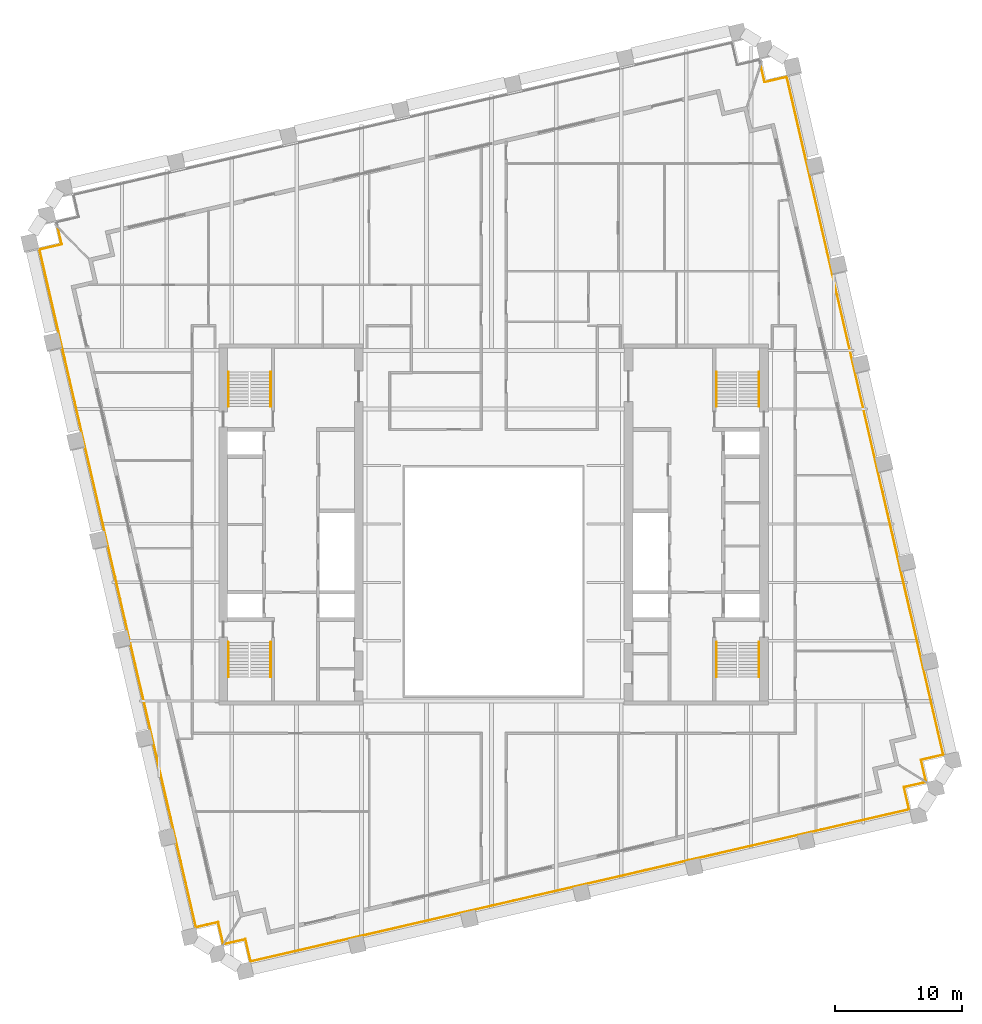
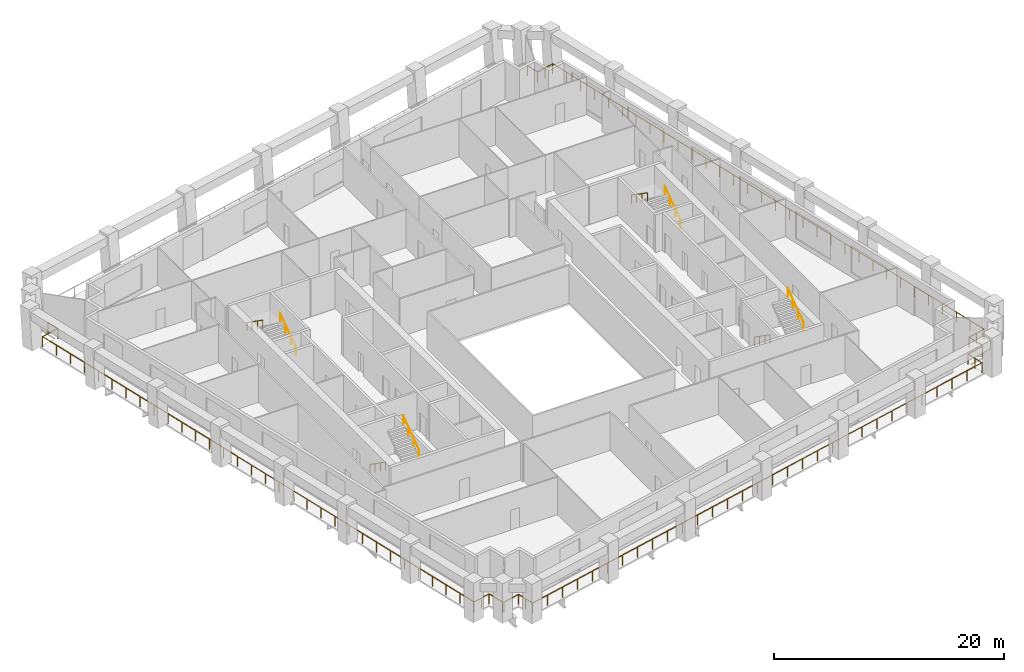
# One storey, part 10 of 11: 11 railings.
"""IFC4 building model written with IfcOpenShell, lengths in metres."""

import ifcopenshell
import ifcopenshell.guid

model = None  # the IFC model being written
_history = None  # IfcOwnerHistory: only IFC2X3 demands one
_inside = {}  # id of a spatial element -> (the spatial element, [elements in it])
_under = {}  # id of a project, library or spatial element -> (it, [spatial elements below it])
_declared = {}  # id of a project -> (the project, [libraries it declares])
_typed = {}  # id of a type object -> (the type object, [elements of that type])
_made_of = {}  # id of a material, layer set ... -> (it, [elements and type objects made of it])


def new_model(schema):
    """Start an empty IFC model of exactly this schema.

    Asked for "IFC4X3", IfcOpenShell would pick the latest addendum, in which some entities
    have other attributes; the version numbers below select the first issue.
    IFC2X3 requires an IfcOwnerHistory on every rooted entity: one is made here for all.
    """
    global model, _history
    if schema == "IFC4X3":
        model = ifcopenshell.file(schema_version=(4, 3, 0, 0))
    else:
        model = ifcopenshell.file(schema=schema)
    _inside.clear()
    _under.clear()
    _declared.clear()
    _typed.clear()
    _made_of.clear()
    _history = None
    if model.schema == "IFC2X3":
        org = make("IfcOrganization", Name="unknown")
        user = make(
            "IfcPersonAndOrganization",
            ThePerson=make("IfcPerson", FamilyName="unknown"),
            TheOrganization=org,
        )
        app = make(
            "IfcApplication",
            ApplicationDeveloper=org,
            Version="unknown",
            ApplicationFullName="unknown",
            ApplicationIdentifier="unknown",
        )
        _history = make(
            "IfcOwnerHistory",
            OwningUser=user,
            OwningApplication=app,
            ChangeAction="ADDED",
            CreationDate=0,
        )
    return model


def make(cls, **values):
    """One entity of the class cls with the attributes given. An attribute that is None is left unset."""
    return model.create_entity(
        cls, **{name: value for name, value in values.items() if value is not None}
    )


def rooted(cls, **values):
    """An entity with a GlobalId (a new one), such as an element, a storey or a relation."""
    return make(cls, GlobalId=ifcopenshell.guid.new(), OwnerHistory=_history, **values)


def si_unit(unit_type, name, prefix=None):
    """IfcSIUnit, for example si_unit("LENGTHUNIT", "METRE", prefix="MILLI")."""
    return make("IfcSIUnit", UnitType=unit_type, Prefix=prefix, Name=name)


def assignment(units):
    """IfcUnitAssignment: the units of a project."""
    return None if units is None else make("IfcUnitAssignment", Units=units)


def point(xyz):
    """IfcCartesianPoint."""
    return None if xyz is None else make("IfcCartesianPoint", Coordinates=xyz)


def direction(xyz):
    """IfcDirection."""
    return None if xyz is None else make("IfcDirection", DirectionRatios=xyz)


def frame(location, z_axis=None, x_axis=None):
    """IfcAxis2Placement3D, a coordinate frame: its origin and axes. An axis left out is left unset."""
    return make(
        "IfcAxis2Placement3D",
        Location=point(location),
        Axis=direction(z_axis),
        RefDirection=direction(x_axis),
    )


def frame_2d(location, x_axis=None):
    """IfcAxis2Placement2D, a coordinate frame in the plane: its origin and x axis."""
    return make(
        "IfcAxis2Placement2D", Location=point(location), RefDirection=direction(x_axis)
    )


def origin():
    """The frame at (0, 0, 0) with its axes left unset."""
    return frame((0.0, 0.0, 0.0))


def origin_2d():
    """The frame at (0, 0) in the plane with its x axis left unset."""
    return frame_2d((0.0, 0.0))


def place(relative_to, where):
    """IfcLocalPlacement: puts the frame where relative to a parent placement (None: the world)."""
    return make(
        "IfcLocalPlacement", PlacementRelTo=relative_to, RelativePlacement=where
    )


def context(
    kind, dimensions, precision=None, world=None, true_north=None, identifier=None
):
    """IfcGeometricRepresentationContext, for example the 3D "Model" context."""
    return make(
        "IfcGeometricRepresentationContext",
        ContextIdentifier=identifier,
        ContextType=kind,
        CoordinateSpaceDimension=dimensions,
        Precision=precision,
        WorldCoordinateSystem=world,
        TrueNorth=true_north,
    )


def subcontext(parent, identifier, kind, view, scale=None):
    """IfcGeometricRepresentationSubContext, for example "Body" below "Model"."""
    return make(
        "IfcGeometricRepresentationSubContext",
        ContextIdentifier=identifier,
        ContextType=kind,
        ParentContext=parent,
        TargetScale=scale,
        TargetView=view,
    )


def project(units=None, contexts=None):
    """IfcProject with its units and contexts."""
    return rooted(
        "IfcProject",
        Name="project",
        RepresentationContexts=contexts,
        UnitsInContext=assignment(units),
    )


def spatial(cls, under=None, at=None, **own):
    """A site, building, storey or space (cls), placed at a placement, below another one or the project."""
    s = rooted(cls, ObjectPlacement=at, **own)
    if under is not None:
        _under.setdefault(under.id(), (under, []))[1].append(s)
    return s


def profile(cls, at=None, kind="AREA", **sizes):
    """A parametric profile (cls). Its sizes go by their IFC names, for example OverallWidth=200.0."""
    return make(cls, ProfileType=kind, Position=at, **sizes)


def circle(**sizes):
    """IfcCircleProfileDef."""
    return profile("IfcCircleProfileDef", **sizes)


def extrude(swept, where, along, depth):
    """IfcExtrudedAreaSolid: the profile swept, set in the frame where, extruded along a direction by depth."""
    return make(
        "IfcExtrudedAreaSolid",
        SweptArea=swept,
        Position=where,
        ExtrudedDirection=direction(along),
        Depth=depth,
    )


def shape(context_of_items, identifier, shape_type, items):
    """IfcShapeRepresentation: the items that make up one representation, for example the "Body"."""
    return make(
        "IfcShapeRepresentation",
        ContextOfItems=context_of_items,
        RepresentationIdentifier=identifier,
        RepresentationType=shape_type,
        Items=items,
    )


def material(Name=None, Category=None):
    """IfcMaterial."""
    return make("IfcMaterial", Name=Name, Category=Category)


def made_of(thing, what):
    """Note that an element or type object is made of a material, layer set ...; save() writes the relation."""
    if what is not None:
        _made_of.setdefault(what.id(), (what, []))[1].append(thing)
    return thing


def type_object(cls, material=None, **own):
    """A type object (cls), such as IfcWallType, which elements share."""
    return made_of(rooted(cls, **own), material)


def element(
    cls,
    number,
    at=None,
    inside=None,
    cuts=None,
    type_object=None,
    material=None,
    context=None,
    identifier="Body",
    shape_type=None,
    held_by="IfcProductDefinitionShape",
    body=None,
    shapes=None,
    **own,
):
    """One element of the class cls, such as IfcWall. Its Tag is "e" and its number.

    at: its placement. inside: the storey or other place that contains it. cuts: it is an
    opening in that element (IfcRelVoidsElement). A single representation is given by context,
    identifier, shape_type and body (its items); several are given by shapes. held_by: the class
    of the entity that holds the representations. save() writes the other relations.
    """
    e = rooted(cls, Tag="e%d" % number, ObjectPlacement=at, **own)
    if body is not None:
        shapes = [shape(context, identifier, shape_type, body)]
    if shapes is not None:
        e.Representation = make(held_by, Representations=shapes)
    if inside is not None:
        _inside.setdefault(inside.id(), (inside, []))[1].append(e)
    if cuts is not None:
        rooted(
            "IfcRelVoidsElement", RelatingBuildingElement=cuts, RelatedOpeningElement=e
        )
    if type_object is not None:
        _typed.setdefault(type_object.id(), (type_object, []))[1].append(e)
    return made_of(e, material)


def aggregate(whole, parts):
    """IfcRelAggregates: a whole, such as a stair, and the parts it consists of."""
    return rooted("IfcRelAggregates", RelatingObject=whole, RelatedObjects=parts)


def save(model, path):
    """Write the relations noted so far, then the file.

    IfcRelAggregates (storeys below a building ...), IfcRelContainedInSpatialStructure (elements
    in a storey), IfcRelDefinesByType, IfcRelAssociatesMaterial and IfcRelDeclares: one each for
    every whole, place, type object, material and project.
    """
    for whole, parts in _under.values():
        aggregate(whole, parts)
    for where, things in _inside.values():
        rooted(
            "IfcRelContainedInSpatialStructure",
            RelatedElements=things,
            RelatingStructure=where,
        )
    for kind, things in _typed.values():
        rooted("IfcRelDefinesByType", RelatedObjects=things, RelatingType=kind)
    for what, things in _made_of.values():
        rooted("IfcRelAssociatesMaterial", RelatedObjects=things, RelatingMaterial=what)
    for by, libraries in _declared.values():
        rooted("IfcRelDeclares", RelatingContext=by, RelatedDefinitions=libraries)
    model.write(path)


model = new_model("IFC4")

# Units and contexts
model_context = context("Model", 3, precision=1e-05, world=origin(), true_north=direction((0.0, 1.0)))
body_context = subcontext(model_context, "Body", "Model", "MODEL_VIEW")
ifc_project = project(units=[si_unit("LENGTHUNIT", "METRE"), si_unit("AREAUNIT", "SQUARE_METRE"), si_unit("VOLUMEUNIT", "CUBIC_METRE"), si_unit("PLANEANGLEUNIT", "RADIAN"), si_unit("MASSUNIT", "GRAM", prefix="KILO")], contexts=[model_context])

# Site, building, storey
site_placement = place(None, origin())
site = spatial("IfcSite", under=ifc_project, at=site_placement, CompositionType="ELEMENT")
building_placement = place(site_placement, origin())
building = spatial("IfcBuilding", under=site, at=building_placement, Name="Ogive Exchange Tower", CompositionType="ELEMENT")
storey_placement = place(building_placement, frame((0.0, 0.0, 184.199951171875)))
storey = spatial("IfcBuildingStorey", under=building, at=storey_placement, Name="L40", CompositionType="ELEMENT", Elevation=184.199951171875)

# Railings
ifc_material_1 = material(Name="Stainless steel 316", Category="steel")
railing_type_1 = type_object("IfcRailingType", Name="Guard 1100 stainless steel and glass", PredefinedType="GUARDRAIL", material=ifc_material_1)
railing_1_placement = place(storey_placement, frame((34.067138671875, -8.864013671875, -0.050048828125)))
element("IfcRailing", 1, at=railing_1_placement, inside=storey, type_object=railing_type_1, Name="Loggia guard 1", PredefinedType="GUARDRAIL", context=body_context, shape_type="SweptSolid", body=[
    extrude(circle(Radius=0.02392578125, at=origin_2d()), frame((0.0, 0.0, 1.076171875), z_axis=(-0.974364690374, -0.224974332206, 0.0), x_axis=(0.224974332206, -0.974364690374, 0.0)), (0.0, 0.0, 1.0), 1.7080078125),
    extrude(circle(Radius=0.02392578125, at=origin_2d()), frame((-1.664306640625, -0.38427734375, 1.076171875), z_axis=(0.224879318197, -0.974386623598, 0.0), x_axis=(0.974386623598, 0.224879318197, 0.0)), (0.0, 0.0, 1.0), 1.800048828125),
    extrude(circle(Radius=0.02392578125, at=origin_2d()), frame((-1.259521484375, -2.13818359375, 1.076171875), z_axis=(-0.97436998541, -0.224951398156, 0.0), x_axis=(0.224951398156, -0.97436998541, 0.0)), (0.0, 0.0, 1.0), 53.360107421875),
    extrude(circle(Radius=0.02392578125, at=origin_2d()), frame((-53.251953125, -14.1416015625, 1.076171875), z_axis=(-0.224879318197, 0.974386623598, 0.0), x_axis=(-0.974386623598, -0.224879318197, 0.0)), (0.0, 0.0, 1.0), 1.800048828125),
    extrude(circle(Radius=0.02392578125, at=origin_2d()), frame((-53.65673828125, -12.3876953125, 1.076171875), z_axis=(-0.974364690374, -0.224974332206, 0.0), x_axis=(0.224974332206, -0.974364690374, 0.0)), (0.0, 0.0, 1.0), 1.7080078125),
    extrude(circle(Radius=0.02099609375, at=origin_2d()), origin(), (0.0, 0.0, 1.0), 1.052001953125),
    extrude(circle(Radius=0.02099609375, at=origin_2d()), frame((-1.664306640625, -0.38427734375, 0.0)), (0.0, 0.0, 1.0), 1.052001953125),
    extrude(circle(Radius=0.02099609375, at=origin_2d()), frame((-1.4619140625, -1.26123046875, 0.0)), (0.0, 0.0, 1.0), 1.052001953125),
    extrude(circle(Radius=0.02099609375, at=origin_2d()), frame((-1.259521484375, -2.13818359375, 0.0)), (0.0, 0.0, 1.0), 1.052001953125),
    extrude(circle(Radius=0.02099609375, at=origin_2d()), frame((-2.99267578125, -2.538330078125, 0.0)), (0.0, 0.0, 1.0), 1.052001953125),
    extrude(circle(Radius=0.02099609375, at=origin_2d()), frame((-4.7255859375, -2.9384765625, 0.0)), (0.0, 0.0, 1.0), 1.052001953125),
    extrude(circle(Radius=0.02099609375, at=origin_2d()), frame((-6.458740234375, -3.338623046875, 0.0)), (0.0, 0.0, 1.0), 1.052001953125),
    extrude(circle(Radius=0.02099609375, at=origin_2d()), frame((-8.19189453125, -3.738525390625, 0.0)), (0.0, 0.0, 1.0), 1.052001953125),
    extrude(circle(Radius=0.02099609375, at=origin_2d()), frame((-9.9248046875, -4.138671875, 0.0)), (0.0, 0.0, 1.0), 1.052001953125),
    extrude(circle(Radius=0.02099609375, at=origin_2d()), frame((-11.657958984375, -4.538818359375, 0.0)), (0.0, 0.0, 1.0), 1.052001953125),
    extrude(circle(Radius=0.02099609375, at=origin_2d()), frame((-13.39111328125, -4.93896484375, 0.0)), (0.0, 0.0, 1.0), 1.052001953125),
    extrude(circle(Radius=0.02099609375, at=origin_2d()), frame((-15.124267578125, -5.339111328125, 0.0)), (0.0, 0.0, 1.0), 1.052001953125),
    extrude(circle(Radius=0.02099609375, at=origin_2d()), frame((-16.857177734375, -5.7392578125, 0.0)), (0.0, 0.0, 1.0), 1.052001953125),
    extrude(circle(Radius=0.02099609375, at=origin_2d()), frame((-18.59033203125, -6.139404296875, 0.0)), (0.0, 0.0, 1.0), 1.052001953125),
    extrude(circle(Radius=0.02099609375, at=origin_2d()), frame((-20.323486328125, -6.53955078125, 0.0)), (0.0, 0.0, 1.0), 1.052001953125),
    extrude(circle(Radius=0.02099609375, at=origin_2d()), frame((-22.056396484375, -6.939453125, 0.0)), (0.0, 0.0, 1.0), 1.052001953125),
    extrude(circle(Radius=0.02099609375, at=origin_2d()), frame((-23.78955078125, -7.339599609375, 0.0)), (0.0, 0.0, 1.0), 1.052001953125),
    extrude(circle(Radius=0.02099609375, at=origin_2d()), frame((-25.522705078125, -7.73974609375, 0.0)), (0.0, 0.0, 1.0), 1.052001953125),
    extrude(circle(Radius=0.02099609375, at=origin_2d()), frame((-27.255859375, -8.139892578125, 0.0)), (0.0, 0.0, 1.0), 1.052001953125),
    extrude(circle(Radius=0.02099609375, at=origin_2d()), frame((-28.98876953125, -8.5400390625, 0.0)), (0.0, 0.0, 1.0), 1.052001953125),
    extrude(circle(Radius=0.02099609375, at=origin_2d()), frame((-30.721923828125, -8.940185546875, 0.0)), (0.0, 0.0, 1.0), 1.052001953125),
    extrude(circle(Radius=0.02099609375, at=origin_2d()), frame((-32.455078125, -9.34033203125, 0.0)), (0.0, 0.0, 1.0), 1.052001953125),
    extrude(circle(Radius=0.02099609375, at=origin_2d()), frame((-34.18798828125, -9.740234375, 0.0)), (0.0, 0.0, 1.0), 1.052001953125),
    extrude(circle(Radius=0.02099609375, at=origin_2d()), frame((-35.921142578125, -10.140380859375, 0.0)), (0.0, 0.0, 1.0), 1.052001953125),
    extrude(circle(Radius=0.02099609375, at=origin_2d()), frame((-37.654296875, -10.54052734375, 0.0)), (0.0, 0.0, 1.0), 1.052001953125),
    extrude(circle(Radius=0.02099609375, at=origin_2d()), frame((-39.38720703125, -10.940673828125, 0.0)), (0.0, 0.0, 1.0), 1.052001953125),
    extrude(circle(Radius=0.02099609375, at=origin_2d()), frame((-41.120361328125, -11.3408203125, 0.0)), (0.0, 0.0, 1.0), 1.052001953125),
    extrude(circle(Radius=0.02099609375, at=origin_2d()), frame((-42.853515625, -11.740966796875, 0.0)), (0.0, 0.0, 1.0), 1.052001953125),
    extrude(circle(Radius=0.02099609375, at=origin_2d()), frame((-44.58642578125, -12.14111328125, 0.0)), (0.0, 0.0, 1.0), 1.052001953125),
    extrude(circle(Radius=0.02099609375, at=origin_2d()), frame((-46.319580078125, -12.541259765625, 0.0)), (0.0, 0.0, 1.0), 1.052001953125),
    extrude(circle(Radius=0.02099609375, at=origin_2d()), frame((-48.052734375, -12.941162109375, 0.0)), (0.0, 0.0, 1.0), 1.052001953125),
    extrude(circle(Radius=0.02099609375, at=origin_2d()), frame((-49.785888671875, -13.34130859375, 0.0)), (0.0, 0.0, 1.0), 1.052001953125),
    extrude(circle(Radius=0.02099609375, at=origin_2d()), frame((-51.518798828125, -13.741455078125, 0.0)), (0.0, 0.0, 1.0), 1.052001953125),
    extrude(circle(Radius=0.02099609375, at=origin_2d()), frame((-53.251953125, -14.1416015625, 0.0)), (0.0, 0.0, 1.0), 1.052001953125),
    extrude(circle(Radius=0.02099609375, at=origin_2d()), frame((-53.454345703125, -13.2646484375, 0.0)), (0.0, 0.0, 1.0), 1.052001953125),
    extrude(circle(Radius=0.02099609375, at=origin_2d()), frame((-53.65673828125, -12.3876953125, 0.0)), (0.0, 0.0, 1.0), 1.052001953125),
    extrude(circle(Radius=0.02099609375, at=origin_2d()), frame((-55.321044921875, -12.77197265625, 0.0)), (0.0, 0.0, 1.0), 1.052001953125),
])
railing_2_placement = place(storey_placement, frame((-21.364013671875, -21.567138671875, -0.050048828125)))
element("IfcRailing", 2, at=railing_2_placement, inside=storey, type_object=railing_type_1, Name="Loggia guard 2", PredefinedType="GUARDRAIL", context=body_context, shape_type="SweptSolid", body=[
    extrude(circle(Radius=0.02392578125, at=origin_2d()), frame((0.0, 0.0, 1.076171875), z_axis=(-0.224974332206, 0.974364690374, 0.0), x_axis=(-0.974364690374, -0.224974332206, 0.0)), (0.0, 0.0, 1.0), 1.7080078125),
    extrude(circle(Radius=0.02392578125, at=origin_2d()), frame((-0.38427734375, 1.664306640625, 1.076171875), z_axis=(-0.974386623598, -0.224879318197, 0.0), x_axis=(0.224879318197, -0.974386623598, 0.0)), (0.0, 0.0, 1.0), 1.800048828125),
    extrude(circle(Radius=0.02392578125, at=origin_2d()), frame((-2.13818359375, 1.259521484375, 1.076171875), z_axis=(-0.224951705278, 0.974369914505, 0.0), x_axis=(-0.974369914505, -0.224951705278, 0.0)), (0.0, 0.0, 1.0), 54.9228515625),
    extrude(circle(Radius=0.02392578125, at=origin_2d()), frame((-14.4931640625, 54.774658203125, 1.076171875), z_axis=(0.974350028141, 0.22503782496, 0.0), x_axis=(-0.22503782496, 0.974350028141, 0.0)), (0.0, 0.0, 1.0), 1.7998046875),
    extrude(circle(Radius=0.02392578125, at=origin_2d()), frame((-12.739501953125, 55.1796875, 1.076171875), z_axis=(-0.224817405851, 0.974400910317, 0.0), x_axis=(-0.974400910317, -0.224817405851, 0.0)), (0.0, 0.0, 1.0), 1.2705078125),
    extrude(circle(Radius=0.02099609375, at=origin_2d()), origin(), (0.0, 0.0, 1.0), 1.052001953125),
    extrude(circle(Radius=0.02099609375, at=origin_2d()), frame((-0.38427734375, 1.664306640625, 0.0)), (0.0, 0.0, 1.0), 1.052001953125),
    extrude(circle(Radius=0.02099609375, at=origin_2d()), frame((-1.26123046875, 1.4619140625, 0.0)), (0.0, 0.0, 1.0), 1.052001953125),
    extrude(circle(Radius=0.02099609375, at=origin_2d()), frame((-2.13818359375, 1.259521484375, 0.0)), (0.0, 0.0, 1.0), 1.052001953125),
    extrude(circle(Radius=0.02099609375, at=origin_2d()), frame((-2.53662109375, 2.98583984375, 0.0)), (0.0, 0.0, 1.0), 1.052001953125),
    extrude(circle(Radius=0.02099609375, at=origin_2d()), frame((-2.935302734375, 4.712158203125, 0.0)), (0.0, 0.0, 1.0), 1.052001953125),
    extrude(circle(Radius=0.02099609375, at=origin_2d()), frame((-3.333740234375, 6.4384765625, 0.0)), (0.0, 0.0, 1.0), 1.052001953125),
    extrude(circle(Radius=0.02099609375, at=origin_2d()), frame((-3.732421875, 8.164794921875, 0.0)), (0.0, 0.0, 1.0), 1.052001953125),
    extrude(circle(Radius=0.02099609375, at=origin_2d()), frame((-4.130859375, 9.89111328125, 0.0)), (0.0, 0.0, 1.0), 1.052001953125),
    extrude(circle(Radius=0.02099609375, at=origin_2d()), frame((-4.529541015625, 11.6171875, 0.0)), (0.0, 0.0, 1.0), 1.052001953125),
    extrude(circle(Radius=0.02099609375, at=origin_2d()), frame((-4.927978515625, 13.343505859375, 0.0)), (0.0, 0.0, 1.0), 1.052001953125),
    extrude(circle(Radius=0.02099609375, at=origin_2d()), frame((-5.32666015625, 15.06982421875, 0.0)), (0.0, 0.0, 1.0), 1.052001953125),
    extrude(circle(Radius=0.02099609375, at=origin_2d()), frame((-5.72509765625, 16.796142578125, 0.0)), (0.0, 0.0, 1.0), 1.052001953125),
    extrude(circle(Radius=0.02099609375, at=origin_2d()), frame((-6.123779296875, 18.5224609375, 0.0)), (0.0, 0.0, 1.0), 1.052001953125),
    extrude(circle(Radius=0.02099609375, at=origin_2d()), frame((-6.522216796875, 20.248779296875, 0.0)), (0.0, 0.0, 1.0), 1.052001953125),
    extrude(circle(Radius=0.02099609375, at=origin_2d()), frame((-6.920654296875, 21.97509765625, 0.0)), (0.0, 0.0, 1.0), 1.052001953125),
    extrude(circle(Radius=0.02099609375, at=origin_2d()), frame((-7.3193359375, 23.701416015625, 0.0)), (0.0, 0.0, 1.0), 1.052001953125),
    extrude(circle(Radius=0.02099609375, at=origin_2d()), frame((-7.7177734375, 25.427734375, 0.0)), (0.0, 0.0, 1.0), 1.052001953125),
    extrude(circle(Radius=0.02099609375, at=origin_2d()), frame((-8.116455078125, 27.154052734375, 0.0)), (0.0, 0.0, 1.0), 1.052001953125),
    extrude(circle(Radius=0.02099609375, at=origin_2d()), frame((-8.514892578125, 28.880126953125, 0.0)), (0.0, 0.0, 1.0), 1.052001953125),
    extrude(circle(Radius=0.02099609375, at=origin_2d()), frame((-8.91357421875, 30.6064453125, 0.0)), (0.0, 0.0, 1.0), 1.052001953125),
    extrude(circle(Radius=0.02099609375, at=origin_2d()), frame((-9.31201171875, 32.332763671875, 0.0)), (0.0, 0.0, 1.0), 1.052001953125),
    extrude(circle(Radius=0.02099609375, at=origin_2d()), frame((-9.710693359375, 34.05908203125, 0.0)), (0.0, 0.0, 1.0), 1.052001953125),
    extrude(circle(Radius=0.02099609375, at=origin_2d()), frame((-10.109130859375, 35.785400390625, 0.0)), (0.0, 0.0, 1.0), 1.052001953125),
    extrude(circle(Radius=0.02099609375, at=origin_2d()), frame((-10.507568359375, 37.51171875, 0.0)), (0.0, 0.0, 1.0), 1.052001953125),
    extrude(circle(Radius=0.02099609375, at=origin_2d()), frame((-10.90625, 39.238037109375, 0.0)), (0.0, 0.0, 1.0), 1.052001953125),
    extrude(circle(Radius=0.02099609375, at=origin_2d()), frame((-11.3046875, 40.96435546875, 0.0)), (0.0, 0.0, 1.0), 1.052001953125),
    extrude(circle(Radius=0.02099609375, at=origin_2d()), frame((-11.703369140625, 42.690673828125, 0.0)), (0.0, 0.0, 1.0), 1.052001953125),
    extrude(circle(Radius=0.02099609375, at=origin_2d()), frame((-12.101806640625, 44.4169921875, 0.0)), (0.0, 0.0, 1.0), 1.052001953125),
    extrude(circle(Radius=0.02099609375, at=origin_2d()), frame((-12.50048828125, 46.14306640625, 0.0)), (0.0, 0.0, 1.0), 1.052001953125),
    extrude(circle(Radius=0.02099609375, at=origin_2d()), frame((-12.89892578125, 47.869384765625, 0.0)), (0.0, 0.0, 1.0), 1.052001953125),
    extrude(circle(Radius=0.02099609375, at=origin_2d()), frame((-13.297607421875, 49.595703125, 0.0)), (0.0, 0.0, 1.0), 1.052001953125),
    extrude(circle(Radius=0.02099609375, at=origin_2d()), frame((-13.696044921875, 51.322021484375, 0.0)), (0.0, 0.0, 1.0), 1.052001953125),
    extrude(circle(Radius=0.02099609375, at=origin_2d()), frame((-14.0947265625, 53.04833984375, 0.0)), (0.0, 0.0, 1.0), 1.052001953125),
    extrude(circle(Radius=0.02099609375, at=origin_2d()), frame((-14.4931640625, 54.774658203125, 0.0)), (0.0, 0.0, 1.0), 1.052001953125),
    extrude(circle(Radius=0.02099609375, at=origin_2d()), frame((-12.739501953125, 55.1796875, 0.0)), (0.0, 0.0, 1.0), 1.052001953125),
    extrude(circle(Radius=0.02099609375, at=origin_2d()), frame((-13.025146484375, 56.417724609375, 0.0)), (0.0, 0.0, 1.0), 1.052001953125),
])
railing_3_placement = place(storey_placement, frame((21.11083984375, 47.663818359375, -0.050048828125)))
element("IfcRailing", 3, at=railing_3_placement, inside=storey, type_object=railing_type_1, Name="Loggia guard 4", PredefinedType="GUARDRAIL", context=body_context, shape_type="SweptSolid", body=[
    extrude(circle(Radius=0.02392578125, at=origin_2d()), frame((0.0, 0.0, 1.076171875), z_axis=(0.224999833762, -0.974358801883, 0.0), x_axis=(0.974358801883, 0.224999833762, 0.0)), (0.0, 0.0, 1.0), 1.2705078125),
    extrude(circle(Radius=0.02392578125, at=origin_2d()), frame((0.285888671875, -1.238037109375, 1.076171875), z_axis=(0.974356896201, 0.225008086135, 0.0), x_axis=(-0.225008086135, 0.974356896201, 0.0)), (0.0, 0.0, 1.0), 1.800048828125),
    extrude(circle(Radius=0.02392578125, at=origin_2d()), frame((2.039794921875, -0.8330078125, 1.076171875), z_axis=(0.224949756659, -0.974370364378, 0.0), x_axis=(0.974370364378, 0.224949756659, 0.0)), (0.0, 0.0, 1.0), 54.92333984375),
    extrude(circle(Radius=0.02392578125, at=origin_2d()), frame((14.394775390625, -54.3486328125, 1.076171875), z_axis=(-0.974386623598, -0.224879318197, 0.0), x_axis=(0.224879318197, -0.974386623598, 0.0)), (0.0, 0.0, 1.0), 1.800048828125),
    extrude(circle(Radius=0.02392578125, at=origin_2d()), frame((12.640869140625, -54.75341796875, 1.076171875), z_axis=(0.224974332206, -0.974364690374, 0.0), x_axis=(0.974364690374, 0.224974332206, 0.0)), (0.0, 0.0, 1.0), 1.7080078125),
    extrude(circle(Radius=0.02099609375, at=origin_2d()), origin(), (0.0, 0.0, 1.0), 1.052001953125),
    extrude(circle(Radius=0.02099609375, at=origin_2d()), frame((0.285888671875, -1.238037109375, 0.0)), (0.0, 0.0, 1.0), 1.052001953125),
    extrude(circle(Radius=0.02099609375, at=origin_2d()), frame((1.162841796875, -1.03564453125, 0.0)), (0.0, 0.0, 1.0), 1.052001953125),
    extrude(circle(Radius=0.02099609375, at=origin_2d()), frame((2.039794921875, -0.8330078125, 0.0)), (0.0, 0.0, 1.0), 1.052001953125),
    extrude(circle(Radius=0.02099609375, at=origin_2d()), frame((2.438232421875, -2.559326171875, 0.0)), (0.0, 0.0, 1.0), 1.052001953125),
    extrude(circle(Radius=0.02099609375, at=origin_2d()), frame((2.8369140625, -4.28564453125, 0.0)), (0.0, 0.0, 1.0), 1.052001953125),
    extrude(circle(Radius=0.02099609375, at=origin_2d()), frame((3.2353515625, -6.011962890625, 0.0)), (0.0, 0.0, 1.0), 1.052001953125),
    extrude(circle(Radius=0.02099609375, at=origin_2d()), frame((3.634033203125, -7.73828125, 0.0)), (0.0, 0.0, 1.0), 1.052001953125),
    extrude(circle(Radius=0.02099609375, at=origin_2d()), frame((4.032470703125, -9.464599609375, 0.0)), (0.0, 0.0, 1.0), 1.052001953125),
    extrude(circle(Radius=0.02099609375, at=origin_2d()), frame((4.43115234375, -11.19091796875, 0.0)), (0.0, 0.0, 1.0), 1.052001953125),
    extrude(circle(Radius=0.02099609375, at=origin_2d()), frame((4.82958984375, -12.917236328125, 0.0)), (0.0, 0.0, 1.0), 1.052001953125),
    extrude(circle(Radius=0.02099609375, at=origin_2d()), frame((5.228271484375, -14.6435546875, 0.0)), (0.0, 0.0, 1.0), 1.052001953125),
    extrude(circle(Radius=0.02099609375, at=origin_2d()), frame((5.626708984375, -16.369873046875, 0.0)), (0.0, 0.0, 1.0), 1.052001953125),
    extrude(circle(Radius=0.02099609375, at=origin_2d()), frame((6.025390625, -18.09619140625, 0.0)), (0.0, 0.0, 1.0), 1.052001953125),
    extrude(circle(Radius=0.02099609375, at=origin_2d()), frame((6.423828125, -19.822509765625, 0.0)), (0.0, 0.0, 1.0), 1.052001953125),
    extrude(circle(Radius=0.02099609375, at=origin_2d()), frame((6.822265625, -21.548828125, 0.0)), (0.0, 0.0, 1.0), 1.052001953125),
    extrude(circle(Radius=0.02099609375, at=origin_2d()), frame((7.220947265625, -23.275146484375, 0.0)), (0.0, 0.0, 1.0), 1.052001953125),
    extrude(circle(Radius=0.02099609375, at=origin_2d()), frame((7.619384765625, -25.00146484375, 0.0)), (0.0, 0.0, 1.0), 1.052001953125),
    extrude(circle(Radius=0.02099609375, at=origin_2d()), frame((8.01806640625, -26.727783203125, 0.0)), (0.0, 0.0, 1.0), 1.052001953125),
    extrude(circle(Radius=0.02099609375, at=origin_2d()), frame((8.41650390625, -28.453857421875, 0.0)), (0.0, 0.0, 1.0), 1.052001953125),
    extrude(circle(Radius=0.02099609375, at=origin_2d()), frame((8.815185546875, -30.18017578125, 0.0)), (0.0, 0.0, 1.0), 1.052001953125),
    extrude(circle(Radius=0.02099609375, at=origin_2d()), frame((9.213623046875, -31.906494140625, 0.0)), (0.0, 0.0, 1.0), 1.052001953125),
    extrude(circle(Radius=0.02099609375, at=origin_2d()), frame((9.6123046875, -33.6328125, 0.0)), (0.0, 0.0, 1.0), 1.052001953125),
    extrude(circle(Radius=0.02099609375, at=origin_2d()), frame((10.0107421875, -35.359130859375, 0.0)), (0.0, 0.0, 1.0), 1.052001953125),
    extrude(circle(Radius=0.02099609375, at=origin_2d()), frame((10.4091796875, -37.08544921875, 0.0)), (0.0, 0.0, 1.0), 1.052001953125),
    extrude(circle(Radius=0.02099609375, at=origin_2d()), frame((10.807861328125, -38.811767578125, 0.0)), (0.0, 0.0, 1.0), 1.052001953125),
    extrude(circle(Radius=0.02099609375, at=origin_2d()), frame((11.206298828125, -40.5380859375, 0.0)), (0.0, 0.0, 1.0), 1.052001953125),
    extrude(circle(Radius=0.02099609375, at=origin_2d()), frame((11.60498046875, -42.264404296875, 0.0)), (0.0, 0.0, 1.0), 1.052001953125),
    extrude(circle(Radius=0.02099609375, at=origin_2d()), frame((12.00341796875, -43.99072265625, 0.0)), (0.0, 0.0, 1.0), 1.052001953125),
    extrude(circle(Radius=0.02099609375, at=origin_2d()), frame((12.402099609375, -45.717041015625, 0.0)), (0.0, 0.0, 1.0), 1.052001953125),
    extrude(circle(Radius=0.02099609375, at=origin_2d()), frame((12.800537109375, -47.443359375, 0.0)), (0.0, 0.0, 1.0), 1.052001953125),
    extrude(circle(Radius=0.02099609375, at=origin_2d()), frame((13.19921875, -49.169677734375, 0.0)), (0.0, 0.0, 1.0), 1.052001953125),
    extrude(circle(Radius=0.02099609375, at=origin_2d()), frame((13.59765625, -50.89599609375, 0.0)), (0.0, 0.0, 1.0), 1.052001953125),
    extrude(circle(Radius=0.02099609375, at=origin_2d()), frame((13.996337890625, -52.622314453125, 0.0)), (0.0, 0.0, 1.0), 1.052001953125),
    extrude(circle(Radius=0.02099609375, at=origin_2d()), frame((14.394775390625, -54.3486328125, 0.0)), (0.0, 0.0, 1.0), 1.052001953125),
    extrude(circle(Radius=0.02099609375, at=origin_2d()), frame((13.517822265625, -54.551025390625, 0.0)), (0.0, 0.0, 1.0), 1.052001953125),
    extrude(circle(Radius=0.02099609375, at=origin_2d()), frame((12.640869140625, -54.75341796875, 0.0)), (0.0, 0.0, 1.0), 1.052001953125),
    extrude(circle(Radius=0.02099609375, at=origin_2d()), frame((13.025146484375, -56.417724609375, 0.0)), (0.0, 0.0, 1.0), 1.052001953125),
])
ifc_material_2 = material(Name="Stainless steel", Category="steel")
railing_type_2 = type_object("IfcRailingType", Name="Stair handrail 900", PredefinedType="HANDRAIL", material=ifc_material_2)
railing_4_placement = place(storey_placement, frame((-20.949951171875, 2.199951171875, 0.175048828125)))
element("IfcRailing", 4, at=railing_4_placement, inside=storey, type_object=railing_type_2, Name="L40 ST1 stair handrail 1", PredefinedType="HANDRAIL", context=body_context, shape_type="SweptSolid", body=[
    extrude(circle(Radius=0.02392578125, at=origin_2d()), frame((0.0, 0.0, 0.8759765625), z_axis=(0.0, -0.819225086817, 0.573472106672), x_axis=(1.0, 0.0, 0.0)), (0.0, 0.0, 1.0), 3.35693359375),
    extrude(circle(Radius=0.02099609375, at=origin_2d()), origin(), (0.0, 0.0, 1.0), 0.851806640625),
    extrude(circle(Radius=0.02099609375, at=origin_2d()), frame((0.0, -0.916748046875, 0.6416015625)), (0.0, 0.0, 1.0), 0.851806640625),
    extrude(circle(Radius=0.02099609375, at=origin_2d()), frame((0.0, -1.833251953125, 1.283447265625)), (0.0, 0.0, 1.0), 0.851806640625),
    extrude(circle(Radius=0.02099609375, at=origin_2d()), frame((0.0, -2.75, 1.925048828125)), (0.0, 0.0, 1.0), 0.851806640625),
])
railing_5_placement = place(storey_placement, frame((-17.60009765625, -0.550048828125, 2.275146484375)))
element("IfcRailing", 5, at=railing_5_placement, inside=storey, type_object=railing_type_2, Name="L40 ST1 stair handrail 2", PredefinedType="HANDRAIL", context=body_context, shape_type="SweptSolid", body=[
    extrude(circle(Radius=0.02392578125, at=origin_2d()), frame((0.0, 0.0, 0.8759765625), z_axis=(0.0, 0.819259255306, 0.573423292687), x_axis=(-1.0, 0.0, 0.0)), (0.0, 0.0, 1.0), 3.356689453125),
    extrude(circle(Radius=0.02099609375, at=origin_2d()), origin(), (0.0, 0.0, 1.0), 0.851806640625),
    extrude(circle(Radius=0.02099609375, at=origin_2d()), frame((0.0, 0.916748046875, 0.6416015625)), (0.0, 0.0, 1.0), 0.851806640625),
    extrude(circle(Radius=0.02099609375, at=origin_2d()), frame((0.0, 1.833251953125, 1.283203125)), (0.0, 0.0, 1.0), 0.851806640625),
    extrude(circle(Radius=0.02099609375, at=origin_2d()), frame((0.0, 2.75, 1.9248046875)), (0.0, 0.0, 1.0), 0.851806640625),
])
railing_6_placement = place(storey_placement, frame((-17.60009765625, 20.800048828125, 0.175048828125)))
element("IfcRailing", 6, at=railing_6_placement, inside=storey, type_object=railing_type_2, Name="L40 ST2 stair handrail 1", PredefinedType="HANDRAIL", context=body_context, shape_type="SweptSolid", body=[
    extrude(circle(Radius=0.02392578125, at=origin_2d()), frame((0.0, 0.0, 0.8759765625), z_axis=(0.0, 0.819225086817, 0.573472106672), x_axis=(-1.0, 0.0, 0.0)), (0.0, 0.0, 1.0), 3.35693359375),
    extrude(circle(Radius=0.02099609375, at=origin_2d()), origin(), (0.0, 0.0, 1.0), 0.851806640625),
    extrude(circle(Radius=0.02099609375, at=origin_2d()), frame((0.0, 0.916748046875, 0.6416015625)), (0.0, 0.0, 1.0), 0.851806640625),
    extrude(circle(Radius=0.02099609375, at=origin_2d()), frame((0.0, 1.833251953125, 1.283447265625)), (0.0, 0.0, 1.0), 0.851806640625),
    extrude(circle(Radius=0.02099609375, at=origin_2d()), frame((0.0, 2.75, 1.925048828125)), (0.0, 0.0, 1.0), 0.851806640625),
])
railing_7_placement = place(storey_placement, frame((-20.949951171875, 23.550048828125, 2.275146484375)))
element("IfcRailing", 7, at=railing_7_placement, inside=storey, type_object=railing_type_2, Name="L40 ST2 stair handrail 2", PredefinedType="HANDRAIL", context=body_context, shape_type="SweptSolid", body=[
    extrude(circle(Radius=0.02392578125, at=origin_2d()), frame((0.0, 0.0, 0.8759765625), z_axis=(0.0, -0.819259255306, 0.573423292687), x_axis=(1.0, 0.0, 0.0)), (0.0, 0.0, 1.0), 3.356689453125),
    extrude(circle(Radius=0.02099609375, at=origin_2d()), origin(), (0.0, 0.0, 1.0), 0.851806640625),
    extrude(circle(Radius=0.02099609375, at=origin_2d()), frame((0.0, -0.916748046875, 0.6416015625)), (0.0, 0.0, 1.0), 0.851806640625),
    extrude(circle(Radius=0.02099609375, at=origin_2d()), frame((0.0, -1.833251953125, 1.283203125)), (0.0, 0.0, 1.0), 0.851806640625),
    extrude(circle(Radius=0.02099609375, at=origin_2d()), frame((0.0, -2.75, 1.9248046875)), (0.0, 0.0, 1.0), 0.851806640625),
])
railing_8_placement = place(storey_placement, frame((17.60009765625, 2.199951171875, 0.175048828125)))
element("IfcRailing", 8, at=railing_8_placement, inside=storey, type_object=railing_type_2, Name="L40 ST3 stair handrail 1", PredefinedType="HANDRAIL", context=body_context, shape_type="SweptSolid", body=[
    extrude(circle(Radius=0.02392578125, at=origin_2d()), frame((0.0, 0.0, 0.8759765625), z_axis=(0.0, -0.819225086817, 0.573472106672), x_axis=(1.0, 0.0, 0.0)), (0.0, 0.0, 1.0), 3.35693359375),
    extrude(circle(Radius=0.02099609375, at=origin_2d()), origin(), (0.0, 0.0, 1.0), 0.851806640625),
    extrude(circle(Radius=0.02099609375, at=origin_2d()), frame((0.0, -0.916748046875, 0.6416015625)), (0.0, 0.0, 1.0), 0.851806640625),
    extrude(circle(Radius=0.02099609375, at=origin_2d()), frame((0.0, -1.833251953125, 1.283447265625)), (0.0, 0.0, 1.0), 0.851806640625),
    extrude(circle(Radius=0.02099609375, at=origin_2d()), frame((0.0, -2.75, 1.925048828125)), (0.0, 0.0, 1.0), 0.851806640625),
])
railing_9_placement = place(storey_placement, frame((20.949951171875, -0.550048828125, 2.275146484375)))
element("IfcRailing", 9, at=railing_9_placement, inside=storey, type_object=railing_type_2, Name="L40 ST3 stair handrail 2", PredefinedType="HANDRAIL", context=body_context, shape_type="SweptSolid", body=[
    extrude(circle(Radius=0.02392578125, at=origin_2d()), frame((0.0, 0.0, 0.8759765625), z_axis=(0.0, 0.819259255306, 0.573423292687), x_axis=(-1.0, 0.0, 0.0)), (0.0, 0.0, 1.0), 3.356689453125),
    extrude(circle(Radius=0.02099609375, at=origin_2d()), origin(), (0.0, 0.0, 1.0), 0.851806640625),
    extrude(circle(Radius=0.02099609375, at=origin_2d()), frame((0.0, 0.916748046875, 0.6416015625)), (0.0, 0.0, 1.0), 0.851806640625),
    extrude(circle(Radius=0.02099609375, at=origin_2d()), frame((0.0, 1.833251953125, 1.283203125)), (0.0, 0.0, 1.0), 0.851806640625),
    extrude(circle(Radius=0.02099609375, at=origin_2d()), frame((0.0, 2.75, 1.9248046875)), (0.0, 0.0, 1.0), 0.851806640625),
])
railing_10_placement = place(storey_placement, frame((20.949951171875, 20.800048828125, 0.175048828125)))
element("IfcRailing", 10, at=railing_10_placement, inside=storey, type_object=railing_type_2, Name="L40 ST4 stair handrail 1", PredefinedType="HANDRAIL", context=body_context, shape_type="SweptSolid", body=[
    extrude(circle(Radius=0.02392578125, at=origin_2d()), frame((0.0, 0.0, 0.8759765625), z_axis=(0.0, 0.819225086817, 0.573472106672), x_axis=(-1.0, 0.0, 0.0)), (0.0, 0.0, 1.0), 3.35693359375),
    extrude(circle(Radius=0.02099609375, at=origin_2d()), origin(), (0.0, 0.0, 1.0), 0.851806640625),
    extrude(circle(Radius=0.02099609375, at=origin_2d()), frame((0.0, 0.916748046875, 0.6416015625)), (0.0, 0.0, 1.0), 0.851806640625),
    extrude(circle(Radius=0.02099609375, at=origin_2d()), frame((0.0, 1.833251953125, 1.283447265625)), (0.0, 0.0, 1.0), 0.851806640625),
    extrude(circle(Radius=0.02099609375, at=origin_2d()), frame((0.0, 2.75, 1.925048828125)), (0.0, 0.0, 1.0), 0.851806640625),
])
railing_11_placement = place(storey_placement, frame((17.60009765625, 23.550048828125, 2.275146484375)))
element("IfcRailing", 11, at=railing_11_placement, inside=storey, type_object=railing_type_2, Name="L40 ST4 stair handrail 2", PredefinedType="HANDRAIL", context=body_context, shape_type="SweptSolid", body=[
    extrude(circle(Radius=0.02392578125, at=origin_2d()), frame((0.0, 0.0, 0.8759765625), z_axis=(0.0, -0.819259255306, 0.573423292687), x_axis=(1.0, 0.0, 0.0)), (0.0, 0.0, 1.0), 3.356689453125),
    extrude(circle(Radius=0.02099609375, at=origin_2d()), origin(), (0.0, 0.0, 1.0), 0.851806640625),
    extrude(circle(Radius=0.02099609375, at=origin_2d()), frame((0.0, -0.916748046875, 0.6416015625)), (0.0, 0.0, 1.0), 0.851806640625),
    extrude(circle(Radius=0.02099609375, at=origin_2d()), frame((0.0, -1.833251953125, 1.283203125)), (0.0, 0.0, 1.0), 0.851806640625),
    extrude(circle(Radius=0.02099609375, at=origin_2d()), frame((0.0, -2.75, 1.9248046875)), (0.0, 0.0, 1.0), 0.851806640625),
])

save(model, "model.ifc")
